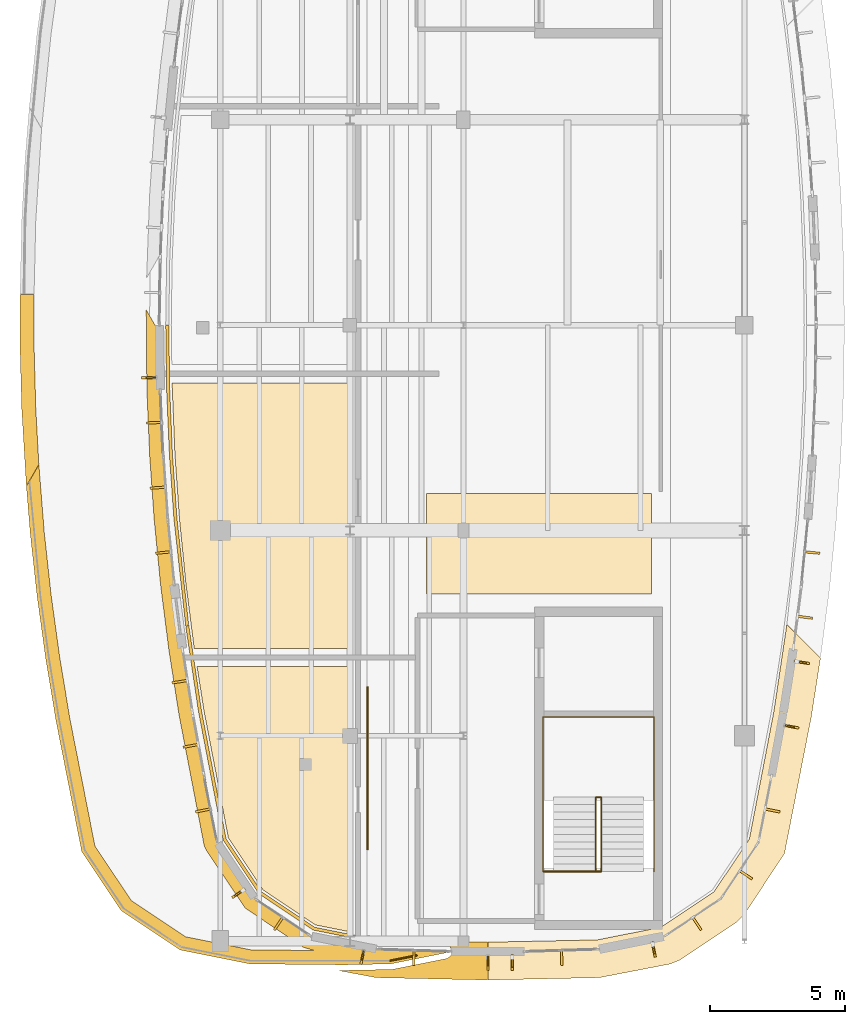
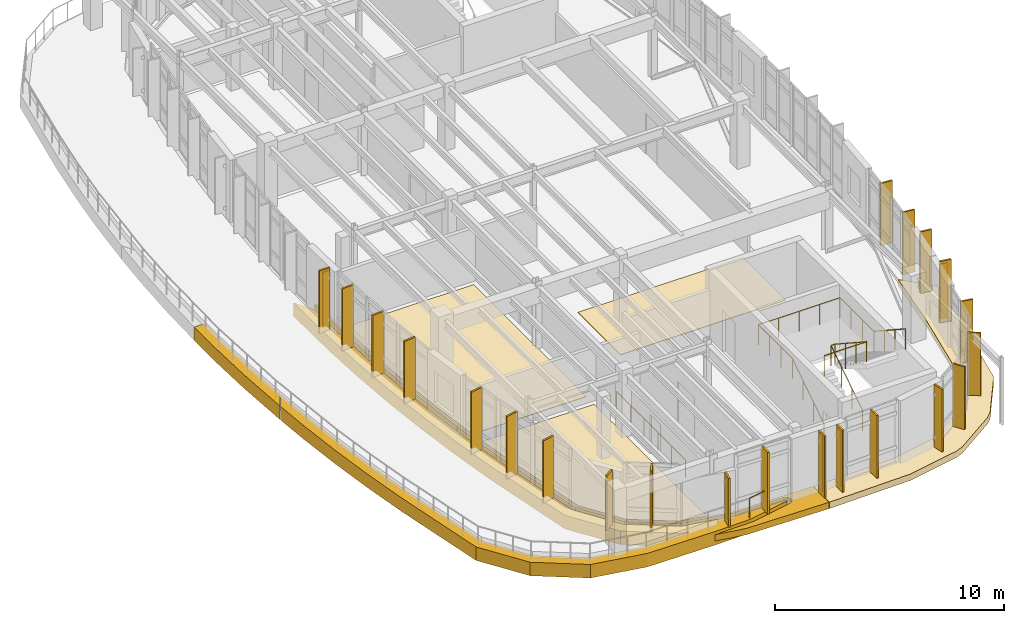
# One storey, part 18 of 20: 30 coverings, 8 shading devices, 5 railings.
"""IFC4 building model written with IfcOpenShell, lengths in metres."""

from ifc_helpers import new_model, si_unit, direction, frame, origin, origin_2d, place, context, subcontext, project, spatial, polyline, rectangle, circle, outline, extrude, material, layer, layer_set, type_object, element, save


model = new_model("IFC4")

# Units and contexts
model_context = context("Model", 3, precision=1e-05, world=origin(), true_north=direction((0.0, 1.0)))
body_context = subcontext(model_context, "Body", "Model", "MODEL_VIEW")
ifc_project = project(units=[si_unit("LENGTHUNIT", "METRE"), si_unit("AREAUNIT", "SQUARE_METRE"), si_unit("VOLUMEUNIT", "CUBIC_METRE"), si_unit("PLANEANGLEUNIT", "RADIAN"), si_unit("MASSUNIT", "GRAM", prefix="KILO")], contexts=[model_context])

# Site, building, storey
site_placement = place(None, origin())
site = spatial("IfcSite", under=ifc_project, at=site_placement, CompositionType="ELEMENT")
building_placement = place(site_placement, origin())
building = spatial("IfcBuilding", under=site, at=building_placement, Name="Corveleigh Park Community Centre", CompositionType="ELEMENT")
storey_placement = place(building_placement, frame((0.0, 0.0, 16.199951171875)))
storey = spatial("IfcBuildingStorey", under=building, at=storey_placement, Name="L04", CompositionType="ELEMENT", Elevation=16.199951171875)

# Coverings
ifc_material_1 = material(Name="Warm buff ribbed architectural cladding", Category="masonry")
ifc_layer_1 = layer(ifc_material_1, 0.0849609375, Name="Warm buff ribbed architectural cladding", Category="masonry")
ifc_layer_set_1 = layer_set([ifc_layer_1], Name="Warm buff ribbed architectural cladding")
covering_type_1 = type_object("IfcCoveringType", Name="COV-CLD-BUF", PredefinedType="CLADDING", material=ifc_layer_set_1)
covering_1_placement = place(storey_placement, origin())
element("IfcCovering", 1, at=covering_1_placement, inside=storey, type_object=covering_type_1, Name="V4 L04 Brise-soleil blade 483", PredefinedType="CLADDING", context=body_context, shape_type="SweptSolid", body=[
    extrude(outline(polyline([(156.217041015625, 58.27490234375), (156.132080078125, 58.278076171875), (156.113037109375, 57.697998046875), (156.197998046875, 57.695068359375), (156.217041015625, 58.27490234375)])), origin(), (0.0, 0.0, 1.0), 3.337158203125),
])
covering_2_placement = place(storey_placement, origin())
element("IfcCovering", 2, at=covering_2_placement, inside=storey, type_object=covering_type_1, Name="V4 L04 Brise-soleil blade 484", PredefinedType="CLADDING", context=body_context, shape_type="SweptSolid", body=[
    extrude(outline(polyline([(159.85107421875, 58.05908203125), (159.76611328125, 58.05908203125), (159.76611328125, 57.52392578125), (159.85107421875, 57.52392578125), (159.85107421875, 58.05908203125)])), origin(), (0.0, 0.0, 1.0), 3.337158203125),
])
covering_3_placement = place(storey_placement, origin())
element("IfcCovering", 3, at=covering_3_placement, inside=storey, type_object=covering_type_1, Name="V4 L04 Brise-soleil blade 485", PredefinedType="CLADDING", context=body_context, shape_type="SweptSolid", body=[
    extrude(outline(polyline([(158.950927734375, 58.05908203125), (158.865966796875, 58.05908203125), (158.865966796875, 57.52392578125), (158.950927734375, 57.52392578125), (158.950927734375, 58.05908203125)])), origin(), (0.0, 0.0, 1.0), 3.337158203125),
])
covering_4_placement = place(storey_placement, origin())
element("IfcCovering", 4, at=covering_4_placement, inside=storey, type_object=covering_type_1, Name="V4 L04 Brise-soleil blade 486", PredefinedType="CLADDING", context=body_context, shape_type="SweptSolid", body=[
    extrude(outline(polyline([(161.66796875, 58.278076171875), (161.5830078125, 58.27490234375), (161.60205078125, 57.695068359375), (161.68701171875, 57.697998046875), (161.66796875, 58.278076171875)])), origin(), (0.0, 0.0, 1.0), 3.3720703125),
])
covering_5_placement = place(storey_placement, origin())
element("IfcCovering", 5, at=covering_5_placement, inside=storey, type_object=covering_type_1, Name="V4 L04 Brise-soleil blade 487", PredefinedType="CLADDING", context=body_context, shape_type="SweptSolid", body=[
    extrude(outline(polyline([(165.035888671875, 58.5458984375), (164.951904296875, 58.530029296875), (165.056884765625, 58.0048828125), (165.139892578125, 58.02197265625), (165.035888671875, 58.5458984375)])), origin(), (0.0, 0.0, 1.0), 3.3720703125),
])
covering_6_placement = place(storey_placement, origin())
element("IfcCovering", 6, at=covering_6_placement, inside=storey, type_object=covering_type_1, Name="V4 L04 Brise-soleil blade 488", PredefinedType="CLADDING", context=body_context, shape_type="SweptSolid", body=[
    extrude(outline(polyline([(166.510986328125, 59.52099609375), (166.44091796875, 59.47412109375), (166.762939453125, 58.991943359375), (166.8330078125, 59.0390625), (166.510986328125, 59.52099609375)])), origin(), (0.0, 0.0, 1.0), 3.3720703125),
])
covering_7_placement = place(storey_placement, origin())
element("IfcCovering", 7, at=covering_7_placement, inside=storey, type_object=covering_type_1, Name="V4 L04 Brise-soleil blade 489", PredefinedType="CLADDING", context=body_context, shape_type="SweptSolid", body=[
    extrude(outline(polyline([(168.22607421875, 61.259033203125), (168.178955078125, 61.18896484375), (168.660888671875, 60.866943359375), (168.7080078125, 60.93701171875), (168.22607421875, 61.259033203125)])), origin(), (0.0, 0.0, 1.0), 3.3720703125),
])
covering_8_placement = place(storey_placement, origin())
element("IfcCovering", 8, at=covering_8_placement, inside=storey, type_object=covering_type_1, Name="V4 L04 Brise-soleil blade 490", PredefinedType="CLADDING", context=body_context, shape_type="SweptSolid", body=[
    extrude(outline(polyline([(169.14892578125, 63.5400390625), (169.133056640625, 63.4560546875), (169.700927734375, 63.343017578125), (169.718017578125, 63.426025390625), (169.14892578125, 63.5400390625)])), origin(), (0.0, 0.0, 1.0), 3.31201171875),
])
covering_9_placement = place(storey_placement, origin())
element("IfcCovering", 9, at=covering_9_placement, inside=storey, type_object=covering_type_1, Name="V4 L04 Brise-soleil blade 491", PredefinedType="CLADDING", context=body_context, shape_type="SweptSolid", body=[
    extrude(outline(polyline([(169.89404296875, 66.626953125), (169.8779296875, 66.54296875), (170.404052734375, 66.446044921875), (170.419921875, 66.529052734375), (169.89404296875, 66.626953125)])), origin(), (0.0, 0.0, 1.0), 3.31201171875),
])
covering_10_placement = place(storey_placement, origin())
element("IfcCovering", 10, at=covering_10_placement, inside=storey, type_object=covering_type_1, Name="V4 L04 Brise-soleil blade 492", PredefinedType="CLADDING", context=body_context, shape_type="SweptSolid", body=[
    extrude(outline(polyline([(170.287109375, 68.9990234375), (170.27392578125, 68.9150390625), (170.802001953125, 68.83203125), (170.81591796875, 68.916015625), (170.287109375, 68.9990234375)])), origin(), (0.0, 0.0, 1.0), 3.31201171875),
])
covering_11_placement = place(storey_placement, origin())
element("IfcCovering", 11, at=covering_11_placement, inside=storey, type_object=covering_type_1, Name="V4 L04 Brise-soleil blade 493", PredefinedType="CLADDING", context=body_context, shape_type="SweptSolid", body=[
    extrude(outline(polyline([(170.345947265625, 70.6689453125), (170.3349609375, 70.583984375), (170.909912109375, 70.510986328125), (170.9208984375, 70.594970703125), (170.345947265625, 70.6689453125)])), origin(), (0.0, 0.0, 1.0), 3.31201171875),
])
covering_12_placement = place(storey_placement, origin())
element("IfcCovering", 12, at=covering_12_placement, inside=storey, type_object=covering_type_1, Name="V4 L04 Brise-soleil blade 494", PredefinedType="CLADDING", context=body_context, shape_type="SweptSolid", body=[
    extrude(outline(polyline([(170.614013671875, 73.053955078125), (170.60595703125, 72.969970703125), (171.18310546875, 72.9130859375), (171.19091796875, 72.9970703125), (170.614013671875, 73.053955078125)])), origin(), (0.0, 0.0, 1.0), 3.31201171875),
])
covering_13_placement = place(storey_placement, origin())
element("IfcCovering", 13, at=covering_13_placement, inside=storey, type_object=covering_type_1, Name="V4 L04 Brise-soleil blade 521", PredefinedType="CLADDING", context=body_context, shape_type="SweptSolid", body=[
    extrude(outline(polyline([(146.6298828125, 79.4130859375), (146.62890625, 79.498046875), (146.093994140625, 79.490966796875), (146.094970703125, 79.406005859375), (146.6298828125, 79.4130859375)])), origin(), (0.0, 0.0, 1.0), 3.337158203125),
])
covering_14_placement = place(storey_placement, origin())
element("IfcCovering", 14, at=covering_14_placement, inside=storey, type_object=covering_type_1, Name="V4 L04 Brise-soleil blade 522", PredefinedType="CLADDING", context=body_context, shape_type="SweptSolid", body=[
    extrude(outline(polyline([(146.85400390625, 77.758056640625), (146.85009765625, 77.843017578125), (146.27099609375, 77.818115234375), (146.27392578125, 77.73291015625), (146.85400390625, 77.758056640625)])), origin(), (0.0, 0.0, 1.0), 3.337158203125),
])
covering_15_placement = place(storey_placement, origin())
element("IfcCovering", 15, at=covering_15_placement, inside=storey, type_object=covering_type_1, Name="V4 L04 Brise-soleil blade 523", PredefinedType="CLADDING", context=body_context, shape_type="SweptSolid", body=[
    extrude(outline(polyline([(146.989990234375, 75.362060546875), (146.98388671875, 75.446044921875), (146.406005859375, 75.406005859375), (146.412109375, 75.321044921875), (146.989990234375, 75.362060546875)])), origin(), (0.0, 0.0, 1.0), 3.337158203125),
])
covering_16_placement = place(storey_placement, origin())
element("IfcCovering", 16, at=covering_16_placement, inside=storey, type_object=covering_type_1, Name="V4 L04 Brise-soleil blade 524", PredefinedType="CLADDING", context=body_context, shape_type="SweptSolid", body=[
    extrude(outline(polyline([(147.194091796875, 72.969970703125), (147.18603515625, 73.053955078125), (146.60888671875, 72.9970703125), (146.616943359375, 72.9130859375), (147.194091796875, 72.969970703125)])), origin(), (0.0, 0.0, 1.0), 3.337158203125),
])
covering_17_placement = place(storey_placement, origin())
element("IfcCovering", 17, at=covering_17_placement, inside=storey, type_object=covering_type_1, Name="V4 L04 Brise-soleil blade 525", PredefinedType="CLADDING", context=body_context, shape_type="SweptSolid", body=[
    extrude(outline(polyline([(147.803955078125, 68.2080078125), (147.791015625, 68.2919921875), (147.218017578125, 68.201904296875), (147.23095703125, 68.117919921875), (147.803955078125, 68.2080078125)])), origin(), (0.0, 0.0, 1.0), 3.337158203125),
])
covering_18_placement = place(storey_placement, origin())
element("IfcCovering", 18, at=covering_18_placement, inside=storey, type_object=covering_type_1, Name="V4 L04 Brise-soleil blade 526", PredefinedType="CLADDING", context=body_context, shape_type="SweptSolid", body=[
    extrude(outline(polyline([(148.208984375, 65.841064453125), (148.194091796875, 65.925048828125), (147.6240234375, 65.819091796875), (147.638916015625, 65.736083984375), (148.208984375, 65.841064453125)])), origin(), (0.0, 0.0, 1.0), 3.337158203125),
])
covering_19_placement = place(storey_placement, origin())
element("IfcCovering", 19, at=covering_19_placement, inside=storey, type_object=covering_type_1, Name="V4 L04 Brise-soleil blade 527", PredefinedType="CLADDING", context=body_context, shape_type="SweptSolid", body=[
    extrude(outline(polyline([(148.6669921875, 63.4560546875), (148.65087890625, 63.5400390625), (148.08203125, 63.426025390625), (148.09912109375, 63.343017578125), (148.6669921875, 63.4560546875)])), origin(), (0.0, 0.0, 1.0), 3.337158203125),
])
covering_20_placement = place(storey_placement, origin())
element("IfcCovering", 20, at=covering_20_placement, inside=storey, type_object=covering_type_1, Name="V4 L04 Brise-soleil blade 528", PredefinedType="CLADDING", context=body_context, shape_type="SweptSolid", body=[
    extrude(outline(polyline([(149.910888671875, 60.47607421875), (149.864013671875, 60.5458984375), (149.4189453125, 60.2490234375), (149.467041015625, 60.178955078125), (149.910888671875, 60.47607421875)])), origin(), (0.0, 0.0, 1.0), 2.916015625),
])
covering_21_placement = place(storey_placement, origin())
element("IfcCovering", 21, at=covering_21_placement, inside=storey, type_object=covering_type_1, Name="V4 L04 Brise-soleil blade 529", PredefinedType="CLADDING", context=body_context, shape_type="SweptSolid", body=[
    extrude(outline(polyline([(151.35888671875, 59.47412109375), (151.2890625, 59.52099609375), (150.967041015625, 59.0390625), (151.037109375, 58.991943359375), (151.35888671875, 59.47412109375)])), origin(), (0.0, 0.0, 1.0), 3.337158203125),
])
covering_22_placement = place(storey_placement, origin())
element("IfcCovering", 22, at=covering_22_placement, inside=storey, type_object=covering_type_1, Name="V4 L04 Brise-soleil blade 530", PredefinedType="CLADDING", context=body_context, shape_type="SweptSolid", body=[
    extrude(outline(polyline([(154.35107421875, 58.2509765625), (154.26806640625, 58.26806640625), (154.1630859375, 57.742919921875), (154.2470703125, 57.72607421875), (154.35107421875, 58.2509765625)])), origin(), (0.0, 0.0, 1.0), 2.60498046875),
])
ifc_material_2 = material(Name="White architectural fascia cladding", Category="masonry")
ifc_layer_2 = layer(ifc_material_2, 0.074951171875, Name="White architectural fascia cladding", Category="masonry")
ifc_layer_set_2 = layer_set([ifc_layer_2], Name="White architectural fascia cladding")
covering_type_2 = type_object("IfcCoveringType", Name="COV-CLD-WHT", PredefinedType="CLADDING", material=ifc_layer_set_2)
covering_23_placement = place(storey_placement, frame((0.0, 0.0, -0.679931640625)))
element("IfcCovering", 23, at=covering_23_placement, inside=storey, type_object=covering_type_2, Name="Step 4 STEM and Language Terrace Sweeping White Edge Band 3", PredefinedType="CLADDING", context=body_context, shape_type="SweptSolid", body=[
    extrude(outline(polyline([(141.824951171875, 75.446044921875), (141.653076171875, 78.31494140625), (141.590087890625, 80.636962890625), (141.590087890625, 82.5400390625), (142.110107421875, 82.5400390625), (142.110107421875, 80.64501953125), (142.173095703125, 78.3359375), (142.287109375, 76.2451171875), (141.824951171875, 75.446044921875)])), origin(), (0.0, 0.0, 1.0), 0.719970703125),
])
covering_24_placement = place(storey_placement, frame((0.0, 0.0, -0.679931640625)))
element("IfcCovering", 24, at=covering_24_placement, inside=storey, type_object=covering_type_2, Name="Step 4 STEM and Language Terrace Sweeping White Edge Band 4", PredefinedType="CLADDING", context=body_context, shape_type="SweptSolid", body=[
    extrude(outline(polyline([(153.569091796875, 57.72509765625), (150.095947265625, 57.760009765625), (147.51904296875, 58.27294921875), (145.3330078125, 59.73291015625), (143.873046875, 61.9189453125), (142.919921875, 66.77001953125), (142.5400390625, 69.06396484375), (142.222900390625, 71.366943359375), (141.969970703125, 73.676025390625), (141.825927734375, 75.430908203125), (142.2880859375, 76.23193359375), (142.488037109375, 73.72607421875), (142.739013671875, 71.429931640625), (143.054931640625, 69.14111328125), (143.430908203125, 66.862060546875), (144.363037109375, 62.12109375), (145.70703125, 60.10693359375), (147.720947265625, 58.761962890625), (150.14599609375, 58.280029296875), (152.488037109375, 58.256103515625), (152.076904296875, 58.375), (149.925048828125, 59.824951171875), (148.47412109375, 61.97998046875), (148.402099609375, 62.156005859375), (147.47412109375, 66.98388671875), (147.10107421875, 69.3701171875), (146.794921875, 71.76708984375), (146.55810546875, 74.169921875), (146.387939453125, 76.5791015625), (146.285888671875, 78.991943359375), (146.260009765625, 81.964111328125), (146.777099609375, 81.068115234375), (146.805908203125, 79.0), (146.907958984375, 76.60107421875), (147.076904296875, 74.20703125), (147.31298828125, 71.818115234375), (147.616943359375, 69.43701171875), (147.987060546875, 67.06494140625), (148.910888671875, 62.261962890625), (150.29296875, 60.193115234375), (152.360107421875, 58.81201171875), (154.802978515625, 58.324951171875), (157.340087890625, 58.2451171875), (157.3779296875, 58.2119140625), (157.346923828125, 58.166015625), (155.31201171875, 57.760986328125), (153.569091796875, 57.72509765625)])), origin(), (0.0, 0.0, 1.0), 0.719970703125),
])
covering_25_placement = place(storey_placement, frame((0.0, 0.0, -0.300048828125)))
element("IfcCovering", 25, at=covering_25_placement, inside=storey, type_object=covering_type_2, Name="V4 L04 Horizontal Sun-Hood 5", PredefinedType="CLADDING", context=body_context, shape_type="SweptSolid", body=[
    extrude(outline(polyline([(147.72607421875, 70.237060546875), (147.285888671875, 74.22509765625), (147.117919921875, 76.613037109375), (147.01611328125, 79.006103515625), (146.98193359375, 81.39404296875), (147.096923828125, 81.39404296875), (147.131103515625, 79.009033203125), (147.23193359375, 76.6201171875), (147.40087890625, 74.235107421875), (147.8291015625, 70.340087890625), (147.72607421875, 70.237060546875)])), origin(), (0.0, 0.0, 1.0), 0.340087890625),
])
covering_26_placement = place(storey_placement, frame((0.0, 0.0, -0.300048828125)))
element("IfcCovering", 26, at=covering_26_placement, inside=storey, type_object=covering_type_2, Name="V4 L04 Horizontal Sun-Hood 6", PredefinedType="CLADDING", context=body_context, shape_type="SweptSolid", body=[
    extrude(outline(polyline([(153.35302734375, 57.51708984375), (155.35302734375, 57.554931640625), (157.410888671875, 57.966064453125), (157.55810546875, 58.0849609375), (157.5849609375, 58.25), (157.501953125, 58.39404296875), (157.37109375, 58.452880859375), (154.826904296875, 58.533935546875), (152.44189453125, 59.009033203125), (150.444091796875, 60.343994140625), (149.10888671875, 62.343994140625), (148.194091796875, 67.10107421875), (147.72900390625, 70.218017578125), (147.83203125, 70.320068359375), (148.30810546875, 67.1201171875), (149.217041015625, 62.387939453125), (150.527099609375, 60.427001953125), (152.488037109375, 59.116943359375), (154.840087890625, 58.64892578125), (158.888916015625, 58.56396484375), (158.887939453125, 57.1640625), (154.76708984375, 57.2509765625), (153.35302734375, 57.51708984375)])), origin(), (0.0, 0.0, 1.0), 0.340087890625),
])
covering_27_placement = place(storey_placement, frame((0.0, 0.0, -0.300048828125)))
element("IfcCovering", 27, at=covering_27_placement, inside=storey, type_object=covering_type_2, Name="V4 L04 Horizontal Sun-Hood 7", PredefinedType="CLADDING", context=body_context, shape_type="SweptSolid", body=[
    extrude(outline(polyline([(170.8740234375, 66.89892578125), (169.883056640625, 61.84912109375), (168.39794921875, 59.591064453125), (168.10888671875, 59.302001953125), (166.032958984375, 57.9140625), (165.654052734375, 57.757080078125), (163.032958984375, 57.2509765625), (158.912109375, 57.1640625), (158.910888671875, 58.56396484375), (162.9599609375, 58.64892578125), (165.31201171875, 59.116943359375), (167.27294921875, 60.427001953125), (168.5830078125, 62.387939453125), (169.491943359375, 67.1201171875), (169.968017578125, 70.320068359375), (171.214111328125, 69.072998046875), (170.8740234375, 66.89892578125)])), origin(), (0.0, 0.0, 1.0), 0.340087890625),
])
ifc_material_3 = material(Name="Acoustic linoleum flooring", Category="wood")
ifc_layer_3 = layer(ifc_material_3, 0.02490234375, Name="Acoustic linoleum flooring", Category="wood")
ifc_layer_set_3 = layer_set([ifc_layer_3], Name="Acoustic linoleum flooring")
covering_type_3 = type_object("IfcCoveringType", Name="COV-FLR-LIN", PredefinedType="FLOORING", material=ifc_layer_set_3)
covering_28_placement = place(storey_placement, origin())
element("IfcCovering", 28, at=covering_28_placement, inside=storey, type_object=covering_type_3, Name="Fourth Floor East Park Link flooring", PredefinedType="FLOORING", context=body_context, shape_type="SweptSolid", body=[
    extrude(outline(polyline([(164.9599609375, 71.43994140625), (156.639892578125, 71.43994140625), (156.639892578125, 75.159912109375), (164.9599609375, 75.159912109375), (164.9599609375, 71.43994140625)])), origin(), (0.0, 0.0, 1.0), 0.025146484375),
])
covering_29_placement = place(storey_placement, origin())
element("IfcCovering", 29, at=covering_29_placement, inside=storey, type_object=covering_type_3, Name="STEM Coding Classroom 4 flooring", PredefinedType="FLOORING", context=body_context, shape_type="SweptSolid", body=[
    extrude(outline(polyline([(148.39697265625, 67.135009765625), (148.14306640625, 68.760009765625), (153.760009765625, 68.760009765625), (153.760009765625, 58.955078125), (152.52294921875, 59.200927734375), (150.592041015625, 60.491943359375), (149.301025390625, 62.423095703125), (148.39697265625, 67.135009765625)])), origin(), (0.0, 0.0, 1.0), 0.025146484375),
])
covering_30_placement = place(storey_placement, origin())
element("IfcCovering", 30, at=covering_30_placement, inside=storey, type_object=covering_type_3, Name="Language Classroom 5 flooring", PredefinedType="FLOORING", context=body_context, shape_type="SweptSolid", body=[
    extrude(outline(polyline([(147.489990234375, 74.241943359375), (147.322021484375, 76.625), (147.217041015625, 79.260009765625), (153.760009765625, 79.260009765625), (153.760009765625, 69.43994140625), (148.035888671875, 69.43994140625), (147.72509765625, 71.864013671875), (147.489990234375, 74.241943359375)])), origin(), (0.0, 0.0, 1.0), 0.025146484375),
])

# Railings
ifc_material_4 = material(Name="Stainless steel 316 balustrade", Category="steel")
railing_type_1 = type_object("IfcRailingType", Name="RLG-BAL-EXT-1100", PredefinedType="BALUSTRADE", material=ifc_material_4)
railing_1_placement = place(storey_placement, frame((156.26904296875, 58.073974609375, 0.0)))
element("IfcRailing", 31, at=railing_1_placement, inside=storey, type_object=railing_type_1, Name="Step 4 STEM and Language Terrace guard 16", PredefinedType="BALUSTRADE", context=body_context, shape_type="SweptSolid", body=[
    extrude(circle(Radius=0.02392578125, at=origin_2d()), frame((0.0, 0.0, 1.076171875), z_axis=(-0.980722224188, -0.195407059707, 0.0), x_axis=(0.195407059707, -0.980722224188, 0.0)), (0.0, 0.0, 1.0), 0.9931640625),
    extrude(circle(Radius=0.02099609375, at=origin_2d()), origin(), (0.0, 0.0, 1.0), 1.052001953125),
    extrude(circle(Radius=0.02099609375, at=origin_2d()), frame((-0.97412109375, -0.194091796875, 0.0)), (0.0, 0.0, 1.0), 1.052001953125),
])
railing_type_2 = type_object("IfcRailingType", Name="RLG-BAL-INT-1100", PredefinedType="BALUSTRADE", material=ifc_material_4)
railing_2_placement = place(storey_placement, frame((162.89990234375, 61.179931640625, 0.0)))
element("IfcRailing", 32, at=railing_2_placement, inside=storey, type_object=railing_type_2, Name="Stair ST1 inner guard L04", PredefinedType="BALUSTRADE", context=body_context, shape_type="SweptSolid", body=[
    extrude(circle(Radius=0.02392578125, at=origin_2d()), frame((0.0, 0.0, 1.076171875), z_axis=(0.0, 0.836694709366, 0.547669574943), x_axis=(-1.0, 0.0, 0.0)), (0.0, 0.0, 1.0), 3.28662109375),
    extrude(circle(Radius=0.02392578125, at=origin_2d()), frame((0.0, 2.75, 2.8759765625), z_axis=(1.0, 0.0, 0.0), x_axis=(0.0, 1.0, 0.0)), (0.0, 0.0, 1.0), 0.2001953125),
    extrude(circle(Radius=0.02392578125, at=origin_2d()), frame((0.2001953125, 2.75, 2.8759765625), z_axis=(0.0, -0.836694709366, 0.547669574943), x_axis=(1.0, 0.0, 0.0)), (0.0, 0.0, 1.0), 3.28662109375),
    extrude(circle(Radius=0.02099609375, at=origin_2d()), origin(), (0.0, 0.0, 1.0), 1.052001953125),
    extrude(circle(Radius=0.02099609375, at=origin_2d()), frame((0.0, 0.916748046875, 0.60009765625)), (0.0, 0.0, 1.0), 1.052001953125),
    extrude(circle(Radius=0.02099609375, at=origin_2d()), frame((0.0, 1.833251953125, 1.199951171875)), (0.0, 0.0, 1.0), 1.052001953125),
    extrude(circle(Radius=0.02099609375, at=origin_2d()), frame((0.0, 2.75, 1.800048828125)), (0.0, 0.0, 1.0), 1.052001953125),
    extrude(circle(Radius=0.02099609375, at=origin_2d()), frame((0.2001953125, 2.75, 1.800048828125)), (0.0, 0.0, 1.0), 1.052001953125),
    extrude(circle(Radius=0.02099609375, at=origin_2d()), frame((0.2001953125, 1.833251953125, 2.400146484375)), (0.0, 0.0, 1.0), 1.052001953125),
    extrude(circle(Radius=0.02099609375, at=origin_2d()), frame((0.2001953125, 0.916748046875, 3.0)), (0.0, 0.0, 1.0), 1.052001953125),
    extrude(circle(Radius=0.02099609375, at=origin_2d()), frame((0.2001953125, 0.0, 3.60009765625)), (0.0, 0.0, 1.0), 1.052001953125),
])
railing_3_placement = place(storey_placement, frame((160.967041015625, 61.179931640625, 3.60009765625)))
element("IfcRailing", 33, at=railing_3_placement, inside=storey, type_object=railing_type_2, Name="Stair ST1 landing guard L04", PredefinedType="BALUSTRADE", context=body_context, shape_type="SweptSolid", body=[
    extrude(circle(Radius=0.02392578125, at=origin_2d()), frame((0.0, 0.0, 1.076171875), z_axis=(1.0, 0.0, 0.0), x_axis=(0.0, 1.0, 0.0)), (0.0, 0.0, 1.0), 2.133056640625),
    extrude(circle(Radius=0.02099609375, at=origin_2d()), origin(), (0.0, 0.0, 1.0), 1.052001953125),
    extrude(circle(Radius=0.02099609375, at=origin_2d()), frame((1.06640625, 0.0, 0.0)), (0.0, 0.0, 1.0), 1.052001953125),
    extrude(circle(Radius=0.02099609375, at=origin_2d()), frame((2.133056640625, 0.0, 0.0)), (0.0, 0.0, 1.0), 1.052001953125),
])
railing_4_placement = place(storey_placement, frame((160.947021484375, 61.179931640625, 0.0)))
element("IfcRailing", 34, at=railing_4_placement, inside=storey, type_object=railing_type_2, Name="Stair ST1 perimeter guard L04", PredefinedType="BALUSTRADE", context=body_context, shape_type="SweptSolid", body=[
    extrude(circle(Radius=0.02392578125, at=origin_2d()), frame((0.0, 0.0, 1.076171875), z_axis=(0.0, 0.836694709366, 0.547669574943), x_axis=(-1.0, 0.0, 0.0)), (0.0, 0.0, 1.0), 3.28662109375),
    extrude(circle(Radius=0.02392578125, at=origin_2d()), frame((0.0, 2.75, 2.8759765625), z_axis=(0.0, 1.0, 0.0), x_axis=(-1.0, 0.0, 0.0)), (0.0, 0.0, 1.0), 2.963134765625),
    extrude(circle(Radius=0.02392578125, at=origin_2d()), frame((0.0, 5.713134765625, 2.8759765625), z_axis=(1.0, 0.0, 0.0), x_axis=(0.0, 1.0, 0.0)), (0.0, 0.0, 1.0), 4.10595703125),
    extrude(circle(Radius=0.02392578125, at=origin_2d()), frame((4.10595703125, 5.713134765625, 2.8759765625), z_axis=(0.0, -1.0, 0.0), x_axis=(1.0, 0.0, 0.0)), (0.0, 0.0, 1.0), 2.963134765625),
    extrude(circle(Radius=0.02392578125, at=origin_2d()), frame((4.10595703125, 2.75, 2.8759765625), z_axis=(0.0, -0.836694709366, 0.547669574943), x_axis=(1.0, 0.0, 0.0)), (0.0, 0.0, 1.0), 3.28662109375),
    extrude(circle(Radius=0.02099609375, at=origin_2d()), origin(), (0.0, 0.0, 1.0), 1.052001953125),
    extrude(circle(Radius=0.02099609375, at=origin_2d()), frame((0.0, 0.916748046875, 0.60009765625)), (0.0, 0.0, 1.0), 1.052001953125),
    extrude(circle(Radius=0.02099609375, at=origin_2d()), frame((0.0, 1.833251953125, 1.199951171875)), (0.0, 0.0, 1.0), 1.052001953125),
    extrude(circle(Radius=0.02099609375, at=origin_2d()), frame((0.0, 2.75, 1.800048828125)), (0.0, 0.0, 1.0), 1.052001953125),
    extrude(circle(Radius=0.02099609375, at=origin_2d()), frame((0.0, 3.73779296875, 1.800048828125)), (0.0, 0.0, 1.0), 1.052001953125),
    extrude(circle(Radius=0.02099609375, at=origin_2d()), frame((0.0, 4.725341796875, 1.800048828125)), (0.0, 0.0, 1.0), 1.052001953125),
    extrude(circle(Radius=0.02099609375, at=origin_2d()), frame((0.0, 5.713134765625, 1.800048828125)), (0.0, 0.0, 1.0), 1.052001953125),
    extrude(circle(Radius=0.02099609375, at=origin_2d()), frame((1.0263671875, 5.713134765625, 1.800048828125)), (0.0, 0.0, 1.0), 1.052001953125),
    extrude(circle(Radius=0.02099609375, at=origin_2d()), frame((2.052978515625, 5.713134765625, 1.800048828125)), (0.0, 0.0, 1.0), 1.052001953125),
    extrude(circle(Radius=0.02099609375, at=origin_2d()), frame((3.07958984375, 5.713134765625, 1.800048828125)), (0.0, 0.0, 1.0), 1.052001953125),
    extrude(circle(Radius=0.02099609375, at=origin_2d()), frame((4.10595703125, 5.713134765625, 1.800048828125)), (0.0, 0.0, 1.0), 1.052001953125),
    extrude(circle(Radius=0.02099609375, at=origin_2d()), frame((4.10595703125, 4.725341796875, 1.800048828125)), (0.0, 0.0, 1.0), 1.052001953125),
    extrude(circle(Radius=0.02099609375, at=origin_2d()), frame((4.10595703125, 3.73779296875, 1.800048828125)), (0.0, 0.0, 1.0), 1.052001953125),
    extrude(circle(Radius=0.02099609375, at=origin_2d()), frame((4.10595703125, 2.75, 1.800048828125)), (0.0, 0.0, 1.0), 1.052001953125),
    extrude(circle(Radius=0.02099609375, at=origin_2d()), frame((4.10595703125, 1.833251953125, 2.400146484375)), (0.0, 0.0, 1.0), 1.052001953125),
    extrude(circle(Radius=0.02099609375, at=origin_2d()), frame((4.10595703125, 0.916748046875, 3.0)), (0.0, 0.0, 1.0), 1.052001953125),
    extrude(circle(Radius=0.02099609375, at=origin_2d()), frame((4.10595703125, 0.0, 3.60009765625)), (0.0, 0.0, 1.0), 1.052001953125),
])
ifc_material_5 = material(Name="Powder-coated aluminium handrail", Category="aluminium")
railing_type_3 = type_object("IfcRailingType", Name="RLG-HND-INT-950", PredefinedType="HANDRAIL", material=ifc_material_5)
railing_5_placement = place(storey_placement, frame((154.449951171875, 62.0, 0.0)))
element("IfcRailing", 35, at=railing_5_placement, inside=storey, type_object=railing_type_3, Name="Accessible corridor wall handrail L04", PredefinedType="HANDRAIL", context=body_context, shape_type="SweptSolid", body=[
    extrude(circle(Radius=0.02392578125, at=origin_2d()), frame((0.0, 0.0, 0.92578125), z_axis=(0.0, 1.0, 0.0), x_axis=(-1.0, 0.0, 0.0)), (0.0, 0.0, 1.0), 6.0),
    extrude(circle(Radius=0.02099609375, at=origin_2d()), origin(), (0.0, 0.0, 1.0), 0.90185546875),
    extrude(circle(Radius=0.02099609375, at=origin_2d()), frame((0.0, 1.199951171875, 0.0)), (0.0, 0.0, 1.0), 0.90185546875),
    extrude(circle(Radius=0.02099609375, at=origin_2d()), frame((0.0, 2.39990234375, 0.0)), (0.0, 0.0, 1.0), 0.90185546875),
    extrude(circle(Radius=0.02099609375, at=origin_2d()), frame((0.0, 3.60009765625, 0.0)), (0.0, 0.0, 1.0), 0.90185546875),
    extrude(circle(Radius=0.02099609375, at=origin_2d()), frame((0.0, 4.800048828125, 0.0)), (0.0, 0.0, 1.0), 0.90185546875),
    extrude(circle(Radius=0.02099609375, at=origin_2d()), frame((0.0, 6.0, 0.0)), (0.0, 0.0, 1.0), 0.90185546875),
])

# Shading devices
ifc_material_6 = material(Name="Terracotta-anodised aluminium fin", Category="masonry")
shading_device_type_1 = type_object("IfcShadingDeviceType", Name="SHD-FIN-TER-350", PredefinedType="USERDEFINED", material=ifc_material_6)
shading_device_1_placement = place(storey_placement, frame((158.907958984375, 57.868896484375, 0.25), z_axis=(0.0, 0.0, 1.0), x_axis=(0.0, -1.0, 0.0)))
element("IfcShadingDevice", 36, at=shading_device_1_placement, inside=storey, type_object=shading_device_type_1, Name="Terracotta brise-soleil fin 107", ObjectType="FIN", PredefinedType="USERDEFINED", context=body_context, shape_type="SweptSolid", body=[
    extrude(rectangle(XDim=0.35009765625, YDim=0.06005859375, at=origin_2d()), origin(), (0.0, 0.0, 1.0), 2.93701171875),
])
shading_device_2_placement = place(storey_placement, frame((170.072998046875, 66.550048828125, 0.25), z_axis=(0.0, 0.0, 1.0), x_axis=(0.983301463744, -0.181984151504, 0.0)))
element("IfcShadingDevice", 37, at=shading_device_2_placement, inside=storey, type_object=shading_device_type_1, Name="Terracotta brise-soleil fin 109", ObjectType="FIN", PredefinedType="USERDEFINED", context=body_context, shape_type="SweptSolid", body=[
    extrude(rectangle(XDim=0.35009765625, YDim=0.06005859375, at=origin_2d()), origin(), (0.0, 0.0, 1.0), 2.912109375),
])
shading_device_3_placement = place(storey_placement, frame((146.43994140625, 79.452880859375, 0.25), z_axis=(0.0, 0.0, 1.0), x_axis=(-0.999898231481, -0.01426627775, 0.0)))
element("IfcShadingDevice", 38, at=shading_device_3_placement, inside=storey, type_object=shading_device_type_1, Name="Terracotta brise-soleil fin 119", ObjectType="FIN", PredefinedType="USERDEFINED", context=body_context, shape_type="SweptSolid", body=[
    extrude(rectangle(XDim=0.35009765625, YDim=0.06005859375, at=origin_2d()), origin(), (0.0, 0.0, 1.0), 2.93701171875),
])
shading_device_4_placement = place(storey_placement, frame((154.27197265625, 58.072998046875, 0.25), z_axis=(0.0, 0.0, 1.0), x_axis=(-0.195165868436, -0.980770250261, 0.0)))
element("IfcShadingDevice", 39, at=shading_device_4_placement, inside=storey, type_object=shading_device_type_1, Name="Terracotta brise-soleil fin 121", ObjectType="FIN", PredefinedType="USERDEFINED", context=body_context, shape_type="SweptSolid", body=[
    extrude(rectangle(XDim=0.35009765625, YDim=0.06005859375, at=origin_2d()), origin(), (0.0, 0.0, 1.0), 2.205078125),
])
shading_device_type_2 = type_object("IfcShadingDeviceType", Name="SHD-FIN-TER-450", PredefinedType="USERDEFINED", material=ifc_material_6)
shading_device_5_placement = place(storey_placement, frame((159.80810546875, 57.868896484375, 0.25), z_axis=(0.0, 0.0, 1.0), x_axis=(0.0, -1.0, 0.0)))
element("IfcShadingDevice", 40, at=shading_device_5_placement, inside=storey, type_object=shading_device_type_2, Name="Terracotta brise-soleil fin 106", ObjectType="FIN", PredefinedType="USERDEFINED", context=body_context, shape_type="SweptSolid", body=[
    extrude(rectangle(XDim=0.449951171875, YDim=0.06494140625, at=origin_2d()), origin(), (0.0, 0.0, 1.0), 2.93701171875),
])
shading_device_6_placement = place(storey_placement, frame((165.031005859375, 58.35205078125, 0.25), z_axis=(0.0, 0.0, 1.0), x_axis=(0.195165868436, -0.980770250261, 0.0)))
element("IfcShadingDevice", 41, at=shading_device_6_placement, inside=storey, type_object=shading_device_type_2, Name="Terracotta brise-soleil fin 108", ObjectType="FIN", PredefinedType="USERDEFINED", context=body_context, shape_type="SweptSolid", body=[
    extrude(rectangle(XDim=0.449951171875, YDim=0.06494140625, at=origin_2d()), origin(), (0.0, 0.0, 1.0), 2.971923828125),
])
shading_device_7_placement = place(storey_placement, frame((170.468017578125, 68.927978515625, 0.25), z_axis=(0.0, 0.0, 1.0), x_axis=(0.987935898779, -0.154863358814, 0.0)))
element("IfcShadingDevice", 42, at=shading_device_7_placement, inside=storey, type_object=shading_device_type_2, Name="Terracotta brise-soleil fin 110", ObjectType="FIN", PredefinedType="USERDEFINED", context=body_context, shape_type="SweptSolid", body=[
    extrude(rectangle(XDim=0.449951171875, YDim=0.06494140625, at=origin_2d()), origin(), (0.0, 0.0, 1.0), 2.912109375),
])
shading_device_8_placement = place(storey_placement, frame((149.72998046875, 60.406005859375, 0.25), z_axis=(0.0, 0.0, 1.0), x_axis=(-0.83141083453, -0.555658190101, 0.0)))
element("IfcShadingDevice", 43, at=shading_device_8_placement, inside=storey, type_object=shading_device_type_2, Name="Terracotta brise-soleil fin 120", ObjectType="FIN", PredefinedType="USERDEFINED", context=body_context, shape_type="SweptSolid", body=[
    extrude(rectangle(XDim=0.449951171875, YDim=0.06494140625, at=origin_2d()), origin(), (0.0, 0.0, 1.0), 2.51611328125),
])

save(model, "model.ifc")
